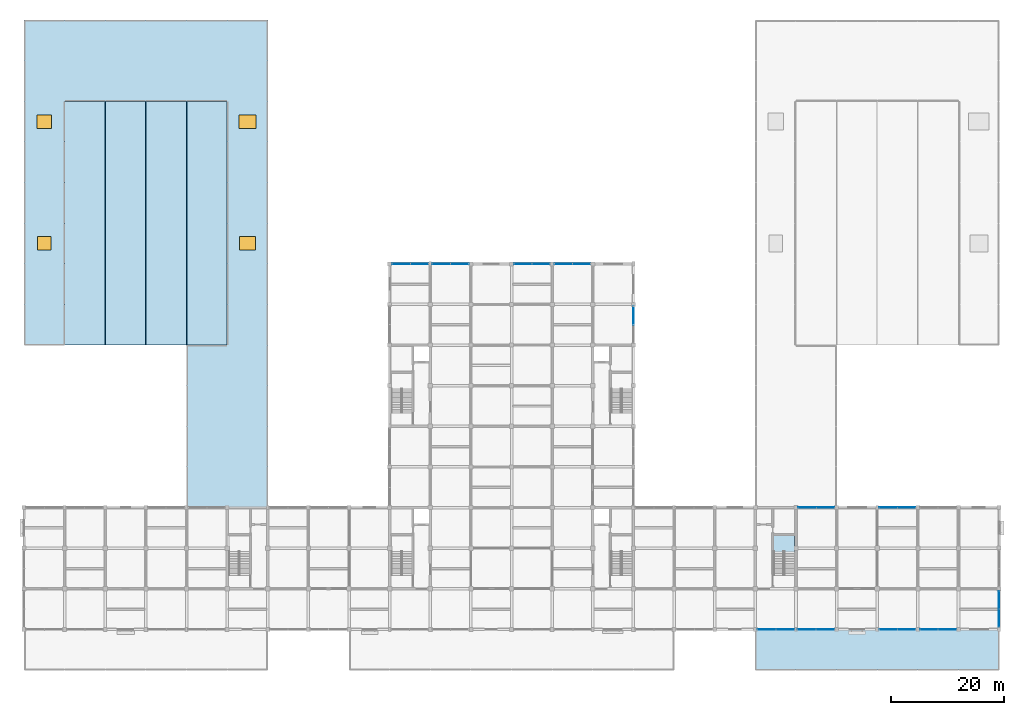
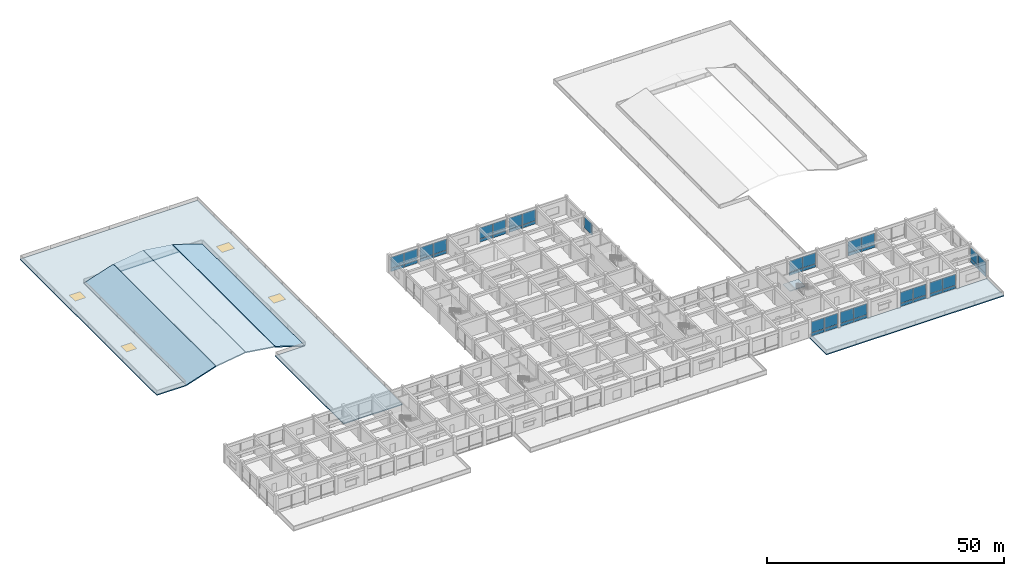
# One storey, part 16 of 30: 45 plates, 7 slabs, 4 windows, 4 openings, 13 elements without a shape of their own.
"""IFC4 building model written with IfcOpenShell, lengths in metres."""

from ifc_helpers import new_model, si_unit, direction, frame, origin, origin_2d, place, context, subcontext, project, spatial, polyline, rectangle, outline, extrude, material, layer, layer_set, type_object, element, fill, aggregate, save


model = new_model("IFC4")

# Units and contexts
model_context = context("Model", 3, precision=1e-05, world=origin(), true_north=direction((0.0, 1.0)))
body_context = subcontext(model_context, "Body", "Model", "MODEL_VIEW")
ifc_project = project(units=[si_unit("LENGTHUNIT", "METRE"), si_unit("AREAUNIT", "SQUARE_METRE"), si_unit("VOLUMEUNIT", "CUBIC_METRE"), si_unit("PLANEANGLEUNIT", "RADIAN"), si_unit("MASSUNIT", "GRAM", prefix="KILO")], contexts=[model_context])

# Site, building, storey
site_placement = place(None, origin())
site = spatial("IfcSite", under=ifc_project, at=site_placement, CompositionType="ELEMENT")
building_placement = place(site_placement, origin())
building = spatial("IfcBuilding", under=site, at=building_placement, Name="Cendaluz Park School", CompositionType="ELEMENT")
storey_placement = place(building_placement, frame((0.0, 0.0, 9.60009765625)))
storey = spatial("IfcBuildingStorey", under=building, at=storey_placement, Name="L02", CompositionType="ELEMENT", Elevation=9.60009765625)

# Curtain wall, plates
ifc_material_1 = material(Name="Anodised Aluminium 6063-T6", Category="aluminium")
ifc_layer_1 = layer(ifc_material_1, 0.179931640625)
ifc_layer_set_1 = layer_set([ifc_layer_1], Name="Anodised Aluminium 6063-T6")
curtain_wall_type_1 = type_object("IfcCurtainWallType", Name="CW-132x78", PredefinedType="NOTDEFINED", material=ifc_layer_set_1)
curtain_wall_1_placement = place(storey_placement, origin())
curtain_wall_1 = element("IfcCurtainWall", 1, at=curtain_wall_1_placement, inside=storey, type_object=curtain_wall_type_1, Name="CW-L02-108", PredefinedType="NOTDEFINED")
ifc_material_2 = material(Name="Tempered Low-E Double Glazing", Category="glass")
ifc_layer_2 = layer(ifc_material_2, 0.028076171875)
ifc_layer_set_2 = layer_set([ifc_layer_2], Name="Tempered Low-E Double Glazing")
plate_type_1 = type_object("IfcPlateType", Name="CWP-G01", PredefinedType="CURTAIN_PANEL", material=ifc_layer_set_2)
plate_1_placement = place(storey_placement, frame((66.820068359375, 72.0, 0.93994140625), z_axis=(0.0, 0.0, 1.0), x_axis=(1.0, 0.0, 0.0)))
plate_1 = element("IfcPlate", 2, at=plate_1_placement, type_object=plate_type_1, Name="CP-L02-1399", PredefinedType="CURTAIN_PANEL", context=body_context, shape_type="SweptSolid", body=[
    extrude(rectangle(XDim=3.179931640625, YDim=0.028076171875, at=origin_2d()), origin(), (0.0, 0.0, 1.0), 2.860107421875),
])
plate_2_placement = place(storey_placement, frame((70.080078125, 72.0, 0.93994140625), z_axis=(0.0, 0.0, 1.0), x_axis=(1.0, 0.0, 0.0)))
plate_2 = element("IfcPlate", 3, at=plate_2_placement, type_object=plate_type_1, Name="CP-L02-1404", PredefinedType="CURTAIN_PANEL", context=body_context, shape_type="SweptSolid", body=[
    extrude(rectangle(XDim=3.179931640625, YDim=0.028076171875, at=origin_2d()), origin(), (0.0, 0.0, 1.0), 2.860107421875),
])

ifc_layer_3 = layer(ifc_material_1, 0.179931640625)
ifc_layer_set_3 = layer_set([ifc_layer_3], Name="Anodised Aluminium 6063-T6")
curtain_wall_type_2 = type_object("IfcCurtainWallType", Name="CW-130x78", PredefinedType="NOTDEFINED", material=ifc_layer_set_3)
curtain_wall_2_placement = place(storey_placement, origin())
curtain_wall_2 = element("IfcCurtainWall", 4, at=curtain_wall_2_placement, inside=storey, type_object=curtain_wall_type_2, Name="CW-L02-114", PredefinedType="NOTDEFINED")
plate_3_placement = place(storey_placement, frame((95.594970703125, 72.0, 0.93994140625), z_axis=(0.0, 0.0, 1.0), x_axis=(1.0, 0.0, 0.0)))
plate_3 = element("IfcPlate", 5, at=plate_3_placement, type_object=plate_type_1, Name="CP-L02-1477", PredefinedType="CURTAIN_PANEL", context=body_context, shape_type="SweptSolid", body=[
    extrude(rectangle(XDim=3.1298828125, YDim=0.028076171875, at=origin_2d()), origin(), (0.0, 0.0, 1.0), 2.860107421875),
])
plate_4_placement = place(storey_placement, frame((98.804931640625, 72.0, 0.93994140625), z_axis=(0.0, 0.0, 1.0), x_axis=(1.0, 0.0, 0.0)))
plate_4 = element("IfcPlate", 6, at=plate_4_placement, type_object=plate_type_1, Name="CP-L02-1482", PredefinedType="CURTAIN_PANEL", context=body_context, shape_type="SweptSolid", body=[
    extrude(rectangle(XDim=3.1298828125, YDim=0.028076171875, at=origin_2d()), origin(), (0.0, 0.0, 1.0), 2.860107421875),
])

curtain_wall_3_placement = place(storey_placement, origin())
curtain_wall_3 = element("IfcCurtainWall", 7, at=curtain_wall_3_placement, inside=storey, type_object=curtain_wall_type_2, Name="CW-L02-125", PredefinedType="NOTDEFINED")
plate_5_placement = place(storey_placement, frame((153.195068359375, 7.199951171875, 0.93994140625), z_axis=(0.0, 0.0, 1.0), x_axis=(1.0, 0.0, 0.0)))
plate_5 = element("IfcPlate", 8, at=plate_5_placement, type_object=plate_type_1, Name="CP-L02-1620", PredefinedType="CURTAIN_PANEL", context=body_context, shape_type="SweptSolid", body=[
    extrude(rectangle(XDim=3.1298828125, YDim=0.028076171875, at=origin_2d()), origin(), (0.0, 0.0, 1.0), 2.860107421875),
])
plate_6_placement = place(storey_placement, frame((156.405029296875, 7.199951171875, 0.93994140625), z_axis=(0.0, 0.0, 1.0), x_axis=(1.0, 0.0, 0.0)))
plate_6 = element("IfcPlate", 9, at=plate_6_placement, type_object=plate_type_1, Name="CP-L02-1625", PredefinedType="CURTAIN_PANEL", context=body_context, shape_type="SweptSolid", body=[
    extrude(rectangle(XDim=3.1298828125, YDim=0.028076171875, at=origin_2d()), origin(), (0.0, 0.0, 1.0), 2.860107421875),
])

curtain_wall_4_placement = place(storey_placement, origin())
curtain_wall_4 = element("IfcCurtainWall", 10, at=curtain_wall_4_placement, inside=storey, type_object=curtain_wall_type_1, Name="CW-L02-126", PredefinedType="NOTDEFINED")
plate_7_placement = place(storey_placement, frame((153.1201171875, 28.800048828125, 0.93994140625), z_axis=(0.0, 0.0, 1.0), x_axis=(1.0, 0.0, 0.0)))
plate_7 = element("IfcPlate", 11, at=plate_7_placement, type_object=plate_type_1, Name="CP-L02-1633", PredefinedType="CURTAIN_PANEL", context=body_context, shape_type="SweptSolid", body=[
    extrude(rectangle(XDim=3.179931640625, YDim=0.028076171875, at=origin_2d()), origin(), (0.0, 0.0, 1.0), 2.860107421875),
])
plate_8_placement = place(storey_placement, frame((156.3798828125, 28.800048828125, 0.93994140625), z_axis=(0.0, 0.0, 1.0), x_axis=(1.0, 0.0, 0.0)))
plate_8 = element("IfcPlate", 12, at=plate_8_placement, type_object=plate_type_1, Name="CP-L02-1638", PredefinedType="CURTAIN_PANEL", context=body_context, shape_type="SweptSolid", body=[
    extrude(rectangle(XDim=3.179931640625, YDim=0.028076171875, at=origin_2d()), origin(), (0.0, 0.0, 1.0), 2.860107421875),
])

curtain_wall_5_placement = place(storey_placement, origin())
curtain_wall_5 = element("IfcCurtainWall", 13, at=curtain_wall_5_placement, inside=storey, type_object=curtain_wall_type_1, Name="CW-L02-110", PredefinedType="NOTDEFINED")
ifc_layer_4 = layer(ifc_material_2, 0.0380859375)
ifc_layer_set_4 = layer_set([ifc_layer_4], Name="Tempered Low-E Double Glazing")
plate_type_2 = type_object("IfcPlateType", Name="CWP-G02", PredefinedType="CURTAIN_PANEL", material=ifc_layer_set_4)
plate_9_placement = place(storey_placement, frame((73.919921875, 72.0, 0.93994140625), z_axis=(0.0, 0.0, 1.0), x_axis=(1.0, 0.0, 0.0)))
plate_9 = element("IfcPlate", 14, at=plate_9_placement, type_object=plate_type_2, Name="CP-L02-1425", PredefinedType="CURTAIN_PANEL", context=body_context, shape_type="SweptSolid", body=[
    extrude(rectangle(XDim=3.179931640625, YDim=0.0380859375, at=origin_2d()), origin(), (0.0, 0.0, 1.0), 2.860107421875),
])
plate_10_placement = place(storey_placement, frame((77.179931640625, 72.0, 0.93994140625), z_axis=(0.0, 0.0, 1.0), x_axis=(1.0, 0.0, 0.0)))
plate_10 = element("IfcPlate", 15, at=plate_10_placement, type_object=plate_type_2, Name="CP-L02-1430", PredefinedType="CURTAIN_PANEL", context=body_context, shape_type="SweptSolid", body=[
    extrude(rectangle(XDim=3.179931640625, YDim=0.0380859375, at=origin_2d()), origin(), (0.0, 0.0, 1.0), 2.860107421875),
])

curtain_wall_6_placement = place(storey_placement, origin())
curtain_wall_6 = element("IfcCurtainWall", 16, at=curtain_wall_6_placement, inside=storey, type_object=curtain_wall_type_1, Name="CW-L02-122", PredefinedType="NOTDEFINED")
plate_11_placement = place(storey_placement, frame((131.6201171875, 7.199951171875, 0.93994140625), z_axis=(0.0, 0.0, 1.0), x_axis=(1.0, 0.0, 0.0)))
plate_11 = element("IfcPlate", 17, at=plate_11_placement, type_object=plate_type_2, Name="CP-L02-1581", PredefinedType="CURTAIN_PANEL", context=body_context, shape_type="SweptSolid", body=[
    extrude(rectangle(XDim=3.179931640625, YDim=0.0380859375, at=origin_2d()), origin(), (0.0, 0.0, 1.0), 2.860107421875),
])
plate_12_placement = place(storey_placement, frame((134.8798828125, 7.199951171875, 0.93994140625), z_axis=(0.0, 0.0, 1.0), x_axis=(1.0, 0.0, 0.0)))
plate_12 = element("IfcPlate", 18, at=plate_12_placement, type_object=plate_type_2, Name="CP-L02-1586", PredefinedType="CURTAIN_PANEL", context=body_context, shape_type="SweptSolid", body=[
    extrude(rectangle(XDim=3.179931640625, YDim=0.0380859375, at=origin_2d()), origin(), (0.0, 0.0, 1.0), 2.860107421875),
])

curtain_wall_7_placement = place(storey_placement, origin())
curtain_wall_7 = element("IfcCurtainWall", 19, at=curtain_wall_7_placement, inside=storey, type_object=curtain_wall_type_2, Name="CW-L02-127", PredefinedType="NOTDEFINED")
plate_13_placement = place(storey_placement, frame((160.39501953125, 7.199951171875, 0.93994140625), z_axis=(0.0, 0.0, 1.0), x_axis=(1.0, 0.0, 0.0)))
plate_13 = element("IfcPlate", 20, at=plate_13_placement, type_object=plate_type_2, Name="CP-L02-1646", PredefinedType="CURTAIN_PANEL", context=body_context, shape_type="SweptSolid", body=[
    extrude(rectangle(XDim=3.1298828125, YDim=0.0380859375, at=origin_2d()), origin(), (0.0, 0.0, 1.0), 2.860107421875),
])
plate_14_placement = place(storey_placement, frame((163.60498046875, 7.199951171875, 0.93994140625), z_axis=(0.0, 0.0, 1.0), x_axis=(1.0, 0.0, 0.0)))
plate_14 = element("IfcPlate", 21, at=plate_14_placement, type_object=plate_type_2, Name="CP-L02-1651", PredefinedType="CURTAIN_PANEL", context=body_context, shape_type="SweptSolid", body=[
    extrude(rectangle(XDim=3.1298828125, YDim=0.0380859375, at=origin_2d()), origin(), (0.0, 0.0, 1.0), 2.860107421875),
])

# Curtain wall, plate
curtain_wall_8_placement = place(storey_placement, origin())
curtain_wall_8 = element("IfcCurtainWall", 22, at=curtain_wall_8_placement, inside=storey, type_object=curtain_wall_type_2, Name="CW-L02-117", PredefinedType="NOTDEFINED")
ifc_layer_5 = layer(ifc_material_2, 0.048095703125)
ifc_layer_set_5 = layer_set([ifc_layer_5], Name="Tempered Low-E Double Glazing")
plate_type_3 = type_object("IfcPlateType", Name="CWP-G03", PredefinedType="CURTAIN_PANEL", material=ifc_layer_set_5)
plate_15_placement = place(storey_placement, frame((108.0, 62.804931640625, 0.93994140625), z_axis=(0.0, 0.0, 1.0), x_axis=(0.0, 1.0, 0.0)))
plate_15 = element("IfcPlate", 23, at=plate_15_placement, type_object=plate_type_3, Name="CP-L02-1521", PredefinedType="CURTAIN_PANEL", context=body_context, shape_type="SweptSolid", body=[
    extrude(rectangle(XDim=3.1298828125, YDim=0.048095703125, at=origin_2d()), origin(), (0.0, 0.0, 1.0), 2.860107421875),
])
aggregate(curtain_wall_8, [plate_15])

# Curtain wall, plates
curtain_wall_9_placement = place(storey_placement, origin())
curtain_wall_9 = element("IfcCurtainWall", 24, at=curtain_wall_9_placement, inside=storey, type_object=curtain_wall_type_1, Name="CW-L02-123", PredefinedType="NOTDEFINED")
plate_16_placement = place(storey_placement, frame((138.719970703125, 7.199951171875, 0.93994140625), z_axis=(0.0, 0.0, 1.0), x_axis=(1.0, 0.0, 0.0)))
plate_16 = element("IfcPlate", 25, at=plate_16_placement, type_object=plate_type_3, Name="CP-L02-1594", PredefinedType="CURTAIN_PANEL", context=body_context, shape_type="SweptSolid", body=[
    extrude(rectangle(XDim=3.179931640625, YDim=0.048095703125, at=origin_2d()), origin(), (0.0, 0.0, 1.0), 2.860107421875),
])
plate_17_placement = place(storey_placement, frame((141.97998046875, 7.199951171875, 0.93994140625), z_axis=(0.0, 0.0, 1.0), x_axis=(1.0, 0.0, 0.0)))
plate_17 = element("IfcPlate", 26, at=plate_17_placement, type_object=plate_type_3, Name="CP-L02-1599", PredefinedType="CURTAIN_PANEL", context=body_context, shape_type="SweptSolid", body=[
    extrude(rectangle(XDim=3.179931640625, YDim=0.048095703125, at=origin_2d()), origin(), (0.0, 0.0, 1.0), 2.860107421875),
])

curtain_wall_10_placement = place(storey_placement, origin())
curtain_wall_10 = element("IfcCurtainWall", 27, at=curtain_wall_10_placement, inside=storey, type_object=curtain_wall_type_2, Name="CW-L02-124", PredefinedType="NOTDEFINED")
plate_18_placement = place(storey_placement, frame((138.794921875, 28.800048828125, 0.93994140625), z_axis=(0.0, 0.0, 1.0), x_axis=(1.0, 0.0, 0.0)))
plate_18 = element("IfcPlate", 28, at=plate_18_placement, type_object=plate_type_3, Name="CP-L02-1607", PredefinedType="CURTAIN_PANEL", context=body_context, shape_type="SweptSolid", body=[
    extrude(rectangle(XDim=3.1298828125, YDim=0.048095703125, at=origin_2d()), origin(), (0.0, 0.0, 1.0), 2.860107421875),
])
plate_19_placement = place(storey_placement, frame((142.0048828125, 28.800048828125, 0.93994140625), z_axis=(0.0, 0.0, 1.0), x_axis=(1.0, 0.0, 0.0)))
plate_19 = element("IfcPlate", 29, at=plate_19_placement, type_object=plate_type_3, Name="CP-L02-1612", PredefinedType="CURTAIN_PANEL", context=body_context, shape_type="SweptSolid", body=[
    extrude(rectangle(XDim=3.1298828125, YDim=0.048095703125, at=origin_2d()), origin(), (0.0, 0.0, 1.0), 2.860107421875),
])

curtain_wall_11_placement = place(storey_placement, origin())
curtain_wall_11 = element("IfcCurtainWall", 30, at=curtain_wall_11_placement, inside=storey, type_object=curtain_wall_type_2, Name="CW-L02-112", PredefinedType="NOTDEFINED")
ifc_layer_6 = layer(ifc_material_2, 0.05810546875)
ifc_layer_set_6 = layer_set([ifc_layer_6], Name="Tempered Low-E Double Glazing")
plate_type_4 = type_object("IfcPlateType", Name="CWP-G04", PredefinedType="CURTAIN_PANEL", material=ifc_layer_set_6)
plate_20_placement = place(storey_placement, frame((88.39501953125, 72.0, 0.93994140625), z_axis=(0.0, 0.0, 1.0), x_axis=(1.0, 0.0, 0.0)))
plate_20 = element("IfcPlate", 31, at=plate_20_placement, type_object=plate_type_4, Name="CP-L02-1451", PredefinedType="CURTAIN_PANEL", context=body_context, shape_type="SweptSolid", body=[
    extrude(rectangle(XDim=3.1298828125, YDim=0.05810546875, at=origin_2d()), origin(), (0.0, 0.0, 1.0), 2.860107421875),
])
plate_21_placement = place(storey_placement, frame((91.60498046875, 72.0, 0.93994140625), z_axis=(0.0, 0.0, 1.0), x_axis=(1.0, 0.0, 0.0)))
plate_21 = element("IfcPlate", 32, at=plate_21_placement, type_object=plate_type_4, Name="CP-L02-1456", PredefinedType="CURTAIN_PANEL", context=body_context, shape_type="SweptSolid", body=[
    extrude(rectangle(XDim=3.1298828125, YDim=0.05810546875, at=origin_2d()), origin(), (0.0, 0.0, 1.0), 2.860107421875),
])

curtain_wall_12_placement = place(storey_placement, origin())
curtain_wall_12 = element("IfcCurtainWall", 33, at=curtain_wall_12_placement, inside=storey, type_object=curtain_wall_type_2, Name="CW-L02-129", PredefinedType="NOTDEFINED")
plate_22_placement = place(storey_placement, frame((172.800048828125, 9.2138671875, 0.93994140625), z_axis=(0.0, 0.0, 1.0), x_axis=(0.0, 1.0, 0.0)))
plate_22 = element("IfcPlate", 34, at=plate_22_placement, type_object=plate_type_4, Name="CP-L02-1672", PredefinedType="CURTAIN_PANEL", context=body_context, shape_type="SweptSolid", body=[
    extrude(rectangle(XDim=3.117431640625, YDim=0.05810546875, at=origin_2d()), origin(), (0.0, 0.0, 1.0), 2.860107421875),
])
plate_23_placement = place(storey_placement, frame((172.800048828125, 12.4111328125, 0.93994140625), z_axis=(0.0, 0.0, 1.0), x_axis=(0.0, 1.0, 0.0)))
plate_23 = element("IfcPlate", 35, at=plate_23_placement, type_object=plate_type_4, Name="CP-L02-1677", PredefinedType="CURTAIN_PANEL", context=body_context, shape_type="SweptSolid", body=[
    extrude(rectangle(XDim=3.117431640625, YDim=0.05810546875, at=origin_2d()), origin(), (0.0, 0.0, 1.0), 2.860107421875),
])

# Plate
ifc_layer_7 = layer(ifc_material_1, 0.080078125)
ifc_layer_set_7 = layer_set([ifc_layer_7], Name="Anodised Aluminium 6063-T6")
plate_type_5 = type_object("IfcPlateType", Name="CWP-S01", PredefinedType="CURTAIN_PANEL", material=ifc_layer_set_7)
plate_24_placement = place(storey_placement, frame((131.6201171875, 7.199951171875, 0.080078125), z_axis=(0.0, 0.0, 1.0), x_axis=(1.0, 0.0, 0.0)))
plate_24 = element("IfcPlate", 36, at=plate_24_placement, type_object=plate_type_5, Name="CP-L02-1580", PredefinedType="CURTAIN_PANEL", context=body_context, shape_type="SweptSolid", body=[
    extrude(rectangle(XDim=3.179931640625, YDim=0.080078125, at=origin_2d()), origin(), (0.0, 0.0, 1.0), 0.780029296875),
])

plate_25_placement = place(storey_placement, frame((134.8798828125, 7.199951171875, 0.080078125), z_axis=(0.0, 0.0, 1.0), x_axis=(1.0, 0.0, 0.0)))
plate_25 = element("IfcPlate", 37, at=plate_25_placement, type_object=plate_type_5, Name="CP-L02-1585", PredefinedType="CURTAIN_PANEL", context=body_context, shape_type="SweptSolid", body=[
    extrude(rectangle(XDim=3.179931640625, YDim=0.080078125, at=origin_2d()), origin(), (0.0, 0.0, 1.0), 0.780029296875),
])

aggregate(curtain_wall_6, [plate_24, plate_11, plate_25, plate_12])

plate_26_placement = place(storey_placement, frame((138.719970703125, 7.199951171875, 0.080078125), z_axis=(0.0, 0.0, 1.0), x_axis=(1.0, 0.0, 0.0)))
plate_26 = element("IfcPlate", 38, at=plate_26_placement, type_object=plate_type_5, Name="CP-L02-1593", PredefinedType="CURTAIN_PANEL", context=body_context, shape_type="SweptSolid", body=[
    extrude(rectangle(XDim=3.179931640625, YDim=0.080078125, at=origin_2d()), origin(), (0.0, 0.0, 1.0), 0.780029296875),
])

plate_27_placement = place(storey_placement, frame((141.97998046875, 7.199951171875, 0.080078125), z_axis=(0.0, 0.0, 1.0), x_axis=(1.0, 0.0, 0.0)))
plate_27 = element("IfcPlate", 39, at=plate_27_placement, type_object=plate_type_5, Name="CP-L02-1598", PredefinedType="CURTAIN_PANEL", context=body_context, shape_type="SweptSolid", body=[
    extrude(rectangle(XDim=3.179931640625, YDim=0.080078125, at=origin_2d()), origin(), (0.0, 0.0, 1.0), 0.780029296875),
])

aggregate(curtain_wall_9, [plate_26, plate_16, plate_27, plate_17])

plate_28_placement = place(storey_placement, frame((153.195068359375, 7.199951171875, 0.080078125), z_axis=(0.0, 0.0, 1.0), x_axis=(1.0, 0.0, 0.0)))
plate_28 = element("IfcPlate", 40, at=plate_28_placement, type_object=plate_type_5, Name="CP-L02-1619", PredefinedType="CURTAIN_PANEL", context=body_context, shape_type="SweptSolid", body=[
    extrude(rectangle(XDim=3.1298828125, YDim=0.080078125, at=origin_2d()), origin(), (0.0, 0.0, 1.0), 0.780029296875),
])

plate_29_placement = place(storey_placement, frame((156.405029296875, 7.199951171875, 0.080078125), z_axis=(0.0, 0.0, 1.0), x_axis=(1.0, 0.0, 0.0)))
plate_29 = element("IfcPlate", 41, at=plate_29_placement, type_object=plate_type_5, Name="CP-L02-1624", PredefinedType="CURTAIN_PANEL", context=body_context, shape_type="SweptSolid", body=[
    extrude(rectangle(XDim=3.1298828125, YDim=0.080078125, at=origin_2d()), origin(), (0.0, 0.0, 1.0), 0.780029296875),
])

aggregate(curtain_wall_3, [plate_28, plate_5, plate_29, plate_6])

plate_30_placement = place(storey_placement, frame((160.39501953125, 7.199951171875, 0.080078125), z_axis=(0.0, 0.0, 1.0), x_axis=(1.0, 0.0, 0.0)))
plate_30 = element("IfcPlate", 42, at=plate_30_placement, type_object=plate_type_5, Name="CP-L02-1645", PredefinedType="CURTAIN_PANEL", context=body_context, shape_type="SweptSolid", body=[
    extrude(rectangle(XDim=3.1298828125, YDim=0.080078125, at=origin_2d()), origin(), (0.0, 0.0, 1.0), 0.780029296875),
])

plate_31_placement = place(storey_placement, frame((163.60498046875, 7.199951171875, 0.080078125), z_axis=(0.0, 0.0, 1.0), x_axis=(1.0, 0.0, 0.0)))
plate_31 = element("IfcPlate", 43, at=plate_31_placement, type_object=plate_type_5, Name="CP-L02-1650", PredefinedType="CURTAIN_PANEL", context=body_context, shape_type="SweptSolid", body=[
    extrude(rectangle(XDim=3.1298828125, YDim=0.080078125, at=origin_2d()), origin(), (0.0, 0.0, 1.0), 0.780029296875),
])

aggregate(curtain_wall_7, [plate_30, plate_13, plate_31, plate_14])

plate_32_placement = place(storey_placement, frame((172.800048828125, 9.2138671875, 0.080078125), z_axis=(0.0, 0.0, 1.0), x_axis=(0.0, 1.0, 0.0)))
plate_32 = element("IfcPlate", 44, at=plate_32_placement, type_object=plate_type_5, Name="CP-L02-1671", PredefinedType="CURTAIN_PANEL", context=body_context, shape_type="SweptSolid", body=[
    extrude(rectangle(XDim=3.117431640625, YDim=0.080078125, at=origin_2d()), origin(), (0.0, 0.0, 1.0), 0.780029296875),
])

plate_33_placement = place(storey_placement, frame((172.800048828125, 12.4111328125, 0.080078125), z_axis=(0.0, 0.0, 1.0), x_axis=(0.0, 1.0, 0.0)))
plate_33 = element("IfcPlate", 45, at=plate_33_placement, type_object=plate_type_5, Name="CP-L02-1676", PredefinedType="CURTAIN_PANEL", context=body_context, shape_type="SweptSolid", body=[
    extrude(rectangle(XDim=3.117431640625, YDim=0.080078125, at=origin_2d()), origin(), (0.0, 0.0, 1.0), 0.780029296875),
])

aggregate(curtain_wall_12, [plate_32, plate_22, plate_33, plate_23])

ifc_layer_8 = layer(ifc_material_1, 0.094970703125)
ifc_layer_set_8 = layer_set([ifc_layer_8], Name="Anodised Aluminium 6063-T6")
plate_type_6 = type_object("IfcPlateType", Name="CWP-S02", PredefinedType="CURTAIN_PANEL", material=ifc_layer_set_8)
plate_34_placement = place(storey_placement, frame((66.820068359375, 72.0, 0.080078125), z_axis=(0.0, 0.0, 1.0), x_axis=(1.0, 0.0, 0.0)))
plate_34 = element("IfcPlate", 46, at=plate_34_placement, type_object=plate_type_6, Name="CP-L02-1398", PredefinedType="CURTAIN_PANEL", context=body_context, shape_type="SweptSolid", body=[
    extrude(rectangle(XDim=3.179931640625, YDim=0.094970703125, at=origin_2d()), origin(), (0.0, 0.0, 1.0), 0.780029296875),
])

plate_35_placement = place(storey_placement, frame((70.080078125, 72.0, 0.080078125), z_axis=(0.0, 0.0, 1.0), x_axis=(1.0, 0.0, 0.0)))
plate_35 = element("IfcPlate", 47, at=plate_35_placement, type_object=plate_type_6, Name="CP-L02-1403", PredefinedType="CURTAIN_PANEL", context=body_context, shape_type="SweptSolid", body=[
    extrude(rectangle(XDim=3.179931640625, YDim=0.094970703125, at=origin_2d()), origin(), (0.0, 0.0, 1.0), 0.780029296875),
])

aggregate(curtain_wall_1, [plate_34, plate_1, plate_35, plate_2])

plate_36_placement = place(storey_placement, frame((73.919921875, 72.0, 0.080078125), z_axis=(0.0, 0.0, 1.0), x_axis=(1.0, 0.0, 0.0)))
plate_36 = element("IfcPlate", 48, at=plate_36_placement, type_object=plate_type_6, Name="CP-L02-1424", PredefinedType="CURTAIN_PANEL", context=body_context, shape_type="SweptSolid", body=[
    extrude(rectangle(XDim=3.179931640625, YDim=0.094970703125, at=origin_2d()), origin(), (0.0, 0.0, 1.0), 0.780029296875),
])

plate_37_placement = place(storey_placement, frame((77.179931640625, 72.0, 0.080078125), z_axis=(0.0, 0.0, 1.0), x_axis=(1.0, 0.0, 0.0)))
plate_37 = element("IfcPlate", 49, at=plate_37_placement, type_object=plate_type_6, Name="CP-L02-1429", PredefinedType="CURTAIN_PANEL", context=body_context, shape_type="SweptSolid", body=[
    extrude(rectangle(XDim=3.179931640625, YDim=0.094970703125, at=origin_2d()), origin(), (0.0, 0.0, 1.0), 0.780029296875),
])

aggregate(curtain_wall_5, [plate_36, plate_9, plate_37, plate_10])

plate_38_placement = place(storey_placement, frame((88.39501953125, 72.0, 0.080078125), z_axis=(0.0, 0.0, 1.0), x_axis=(1.0, 0.0, 0.0)))
plate_38 = element("IfcPlate", 50, at=plate_38_placement, type_object=plate_type_6, Name="CP-L02-1450", PredefinedType="CURTAIN_PANEL", context=body_context, shape_type="SweptSolid", body=[
    extrude(rectangle(XDim=3.1298828125, YDim=0.094970703125, at=origin_2d()), origin(), (0.0, 0.0, 1.0), 0.780029296875),
])

plate_39_placement = place(storey_placement, frame((91.60498046875, 72.0, 0.080078125), z_axis=(0.0, 0.0, 1.0), x_axis=(1.0, 0.0, 0.0)))
plate_39 = element("IfcPlate", 51, at=plate_39_placement, type_object=plate_type_6, Name="CP-L02-1455", PredefinedType="CURTAIN_PANEL", context=body_context, shape_type="SweptSolid", body=[
    extrude(rectangle(XDim=3.1298828125, YDim=0.094970703125, at=origin_2d()), origin(), (0.0, 0.0, 1.0), 0.780029296875),
])

aggregate(curtain_wall_11, [plate_38, plate_20, plate_39, plate_21])

plate_40_placement = place(storey_placement, frame((95.594970703125, 72.0, 0.080078125), z_axis=(0.0, 0.0, 1.0), x_axis=(1.0, 0.0, 0.0)))
plate_40 = element("IfcPlate", 52, at=plate_40_placement, type_object=plate_type_6, Name="CP-L02-1476", PredefinedType="CURTAIN_PANEL", context=body_context, shape_type="SweptSolid", body=[
    extrude(rectangle(XDim=3.1298828125, YDim=0.094970703125, at=origin_2d()), origin(), (0.0, 0.0, 1.0), 0.780029296875),
])

plate_41_placement = place(storey_placement, frame((98.804931640625, 72.0, 0.080078125), z_axis=(0.0, 0.0, 1.0), x_axis=(1.0, 0.0, 0.0)))
plate_41 = element("IfcPlate", 53, at=plate_41_placement, type_object=plate_type_6, Name="CP-L02-1481", PredefinedType="CURTAIN_PANEL", context=body_context, shape_type="SweptSolid", body=[
    extrude(rectangle(XDim=3.1298828125, YDim=0.094970703125, at=origin_2d()), origin(), (0.0, 0.0, 1.0), 0.780029296875),
])

aggregate(curtain_wall_2, [plate_40, plate_3, plate_41, plate_4])

ifc_layer_9 = layer(ifc_material_1, 0.125)
ifc_layer_set_9 = layer_set([ifc_layer_9], Name="Anodised Aluminium 6063-T6")
plate_type_7 = type_object("IfcPlateType", Name="CWP-S04", PredefinedType="CURTAIN_PANEL", material=ifc_layer_set_9)
plate_42_placement = place(storey_placement, frame((138.794921875, 28.800048828125, 0.080078125), z_axis=(0.0, 0.0, 1.0), x_axis=(1.0, 0.0, 0.0)))
plate_42 = element("IfcPlate", 54, at=plate_42_placement, type_object=plate_type_7, Name="CP-L02-1606", PredefinedType="CURTAIN_PANEL", context=body_context, shape_type="SweptSolid", body=[
    extrude(rectangle(XDim=3.1298828125, YDim=0.125, at=origin_2d()), origin(), (0.0, 0.0, 1.0), 0.780029296875),
])

plate_43_placement = place(storey_placement, frame((142.0048828125, 28.800048828125, 0.080078125), z_axis=(0.0, 0.0, 1.0), x_axis=(1.0, 0.0, 0.0)))
plate_43 = element("IfcPlate", 55, at=plate_43_placement, type_object=plate_type_7, Name="CP-L02-1611", PredefinedType="CURTAIN_PANEL", context=body_context, shape_type="SweptSolid", body=[
    extrude(rectangle(XDim=3.1298828125, YDim=0.125, at=origin_2d()), origin(), (0.0, 0.0, 1.0), 0.780029296875),
])

aggregate(curtain_wall_10, [plate_42, plate_18, plate_43, plate_19])

plate_44_placement = place(storey_placement, frame((153.1201171875, 28.800048828125, 0.080078125), z_axis=(0.0, 0.0, 1.0), x_axis=(1.0, 0.0, 0.0)))
plate_44 = element("IfcPlate", 56, at=plate_44_placement, type_object=plate_type_7, Name="CP-L02-1632", PredefinedType="CURTAIN_PANEL", context=body_context, shape_type="SweptSolid", body=[
    extrude(rectangle(XDim=3.179931640625, YDim=0.125, at=origin_2d()), origin(), (0.0, 0.0, 1.0), 0.780029296875),
])

plate_45_placement = place(storey_placement, frame((156.3798828125, 28.800048828125, 0.080078125), z_axis=(0.0, 0.0, 1.0), x_axis=(1.0, 0.0, 0.0)))
plate_45 = element("IfcPlate", 57, at=plate_45_placement, type_object=plate_type_7, Name="CP-L02-1637", PredefinedType="CURTAIN_PANEL", context=body_context, shape_type="SweptSolid", body=[
    extrude(rectangle(XDim=3.179931640625, YDim=0.125, at=origin_2d()), origin(), (0.0, 0.0, 1.0), 0.780029296875),
])

aggregate(curtain_wall_4, [plate_44, plate_7, plate_45, plate_8])

# Stair, slab
ifc_material_3 = material(Name="Concrete C40/50", Category="concrete")
stair_type = type_object("IfcStairType", Name="ST-480-180", PredefinedType="HALF_TURN_STAIR", material=ifc_material_3)
stair_placement = place(storey_placement, origin())
stair = element("IfcStair", 58, at=stair_placement, inside=storey, type_object=stair_type, Name="ST-L02-C6", PredefinedType="HALF_TURN_STAIR")
ifc_layer_10 = layer(ifc_material_3, 0.199951171875)
ifc_layer_set_10 = layer_set([ifc_layer_10], Name="Concrete C40/50")
slab_type_1 = type_object("IfcSlabType", Name="SL-LD-200", PredefinedType="LANDING", material=ifc_layer_set_10)
slab_1_placement = place(storey_placement, frame((0.0, 0.0, 2.199951171875)))
slab_1 = element("IfcSlab", 59, at=slab_1_placement, type_object=slab_type_1, Name="SL-LD-L02-C6", PredefinedType="LANDING", context=body_context, shape_type="SweptSolid", body=[
    extrude(outline(polyline([(132.830078125, 20.9599609375), (136.510009765625, 20.9599609375), (136.510009765625, 23.860107421875), (132.830078125, 23.860107421875), (132.830078125, 20.9599609375)])), origin(), (0.0, 0.0, 1.0), 0.199951171875),
])
aggregate(stair, [slab_1])

# Slab, openings, windows
ifc_layer_11 = layer(ifc_material_3, 0.260009765625)
ifc_layer_set_11 = layer_set([ifc_layer_11], Name="Concrete C40/50")
slab_type_2 = type_object("IfcSlabType", Name="SL-RF-260-RC", PredefinedType="ROOF", material=ifc_layer_set_11)
slab_2_placement = place(storey_placement, frame((0.0, 0.0, -0.260009765625)))
slab_2 = element("IfcSlab", 60, at=slab_2_placement, inside=storey, type_object=slab_type_2, Name="SL-RF-L01-03", PredefinedType="ROOF", context=body_context, shape_type="SweptSolid", body=[
    extrude(outline(polyline([(28.800048828125, 57.60009765625), (36.0, 57.60009765625), (36.0, 100.800048828125), (7.199951171875, 100.800048828125), (7.199951171875, 57.60009765625), (0.0, 57.60009765625), (0.0, 115.199951171875), (43.199951171875, 115.199951171875), (43.199951171875, 28.800048828125), (28.800048828125, 28.800048828125), (28.800048828125, 57.60009765625)])), origin(), (0.0, 0.0, 1.0), 0.260009765625),
])
opening_1_placement = place(slab_2_placement, frame((3.60009765625, 75.60009765625, 0.0)))
opening_1 = element("IfcOpeningElement", 61, at=opening_1_placement, cuts=slab_2, Name="Opening SK-01", PredefinedType="OPENING", context=body_context, shape_type="SweptSolid", body=[
    extrude(rectangle(XDim=2.39990234375, YDim=2.39990234375, at=origin_2d()), frame((0.0, 0.0, -0.011962890625)), (0.0, 0.0, 1.0), 0.283935546875),
])
opening_2_placement = place(slab_2_placement, frame((3.60009765625, 97.199951171875, 0.0)))
opening_2 = element("IfcOpeningElement", 62, at=opening_2_placement, cuts=slab_2, Name="Opening SK-02", PredefinedType="OPENING", context=body_context, shape_type="SweptSolid", body=[
    extrude(rectangle(XDim=2.60009765625, YDim=2.39990234375, at=origin_2d()), frame((0.0, 0.0, -0.011962890625)), (0.0, 0.0, 1.0), 0.283935546875),
])
opening_3_placement = place(slab_2_placement, frame((39.60009765625, 75.60009765625, 0.0)))
opening_3 = element("IfcOpeningElement", 63, at=opening_3_placement, cuts=slab_2, Name="Opening SK-03", PredefinedType="OPENING", context=body_context, shape_type="SweptSolid", body=[
    extrude(rectangle(XDim=2.800048828125, YDim=2.39990234375, at=origin_2d()), frame((0.0, 0.0, -0.011962890625)), (0.0, 0.0, 1.0), 0.283935546875),
])
opening_4_placement = place(slab_2_placement, frame((39.60009765625, 97.199951171875, 0.0)))
opening_4 = element("IfcOpeningElement", 64, at=opening_4_placement, cuts=slab_2, Name="Opening SK-04", PredefinedType="OPENING", context=body_context, shape_type="SweptSolid", body=[
    extrude(rectangle(XDim=3.0, YDim=2.39990234375, at=origin_2d()), frame((0.0, 0.0, -0.011962890625)), (0.0, 0.0, 1.0), 0.283935546875),
])
window_type_1 = type_object("IfcWindowType", Name="SK-01", PartitioningType="SINGLE_PANEL", PredefinedType="SKYLIGHT", material=ifc_material_2)
window_1_placement = place(opening_1_placement, frame((0.0, 0.0, 0.2099609375)))
window_1 = element("IfcWindow", 65, at=window_1_placement, inside=storey, type_object=window_type_1, Name="WN-L02-020", OverallHeight=2.39990234375, OverallWidth=2.39990234375, PartitioningType="SINGLE_PANEL", PredefinedType="SKYLIGHT", context=body_context, shape_type="SweptSolid", body=[
    extrude(rectangle(XDim=2.39990234375, YDim=2.39990234375, at=origin_2d()), origin(), (0.0, 0.0, 1.0), 0.050048828125),
])
fill(opening_1, window_1)
window_type_2 = type_object("IfcWindowType", Name="SK-02", PartitioningType="SINGLE_PANEL", PredefinedType="SKYLIGHT", material=ifc_material_2)
window_2_placement = place(opening_2_placement, frame((0.0, 0.0, 0.2099609375)))
window_2 = element("IfcWindow", 66, at=window_2_placement, inside=storey, type_object=window_type_2, Name="WN-L02-021", OverallHeight=2.39990234375, OverallWidth=2.60009765625, PartitioningType="SINGLE_PANEL", PredefinedType="SKYLIGHT", context=body_context, shape_type="SweptSolid", body=[
    extrude(rectangle(XDim=2.60009765625, YDim=2.39990234375, at=origin_2d()), origin(), (0.0, 0.0, 1.0), 0.050048828125),
])
fill(opening_2, window_2)
window_type_3 = type_object("IfcWindowType", Name="SK-03", PartitioningType="SINGLE_PANEL", PredefinedType="SKYLIGHT", material=ifc_material_2)
window_3_placement = place(opening_3_placement, frame((0.0, 0.0, 0.2099609375)))
window_3 = element("IfcWindow", 67, at=window_3_placement, inside=storey, type_object=window_type_3, Name="WN-L02-022", OverallHeight=2.39990234375, OverallWidth=2.800048828125, PartitioningType="SINGLE_PANEL", PredefinedType="SKYLIGHT", context=body_context, shape_type="SweptSolid", body=[
    extrude(rectangle(XDim=2.800048828125, YDim=2.39990234375, at=origin_2d()), origin(), (0.0, 0.0, 1.0), 0.050048828125),
])
fill(opening_3, window_3)
window_type_4 = type_object("IfcWindowType", Name="SK-04", PartitioningType="SINGLE_PANEL", PredefinedType="SKYLIGHT", material=ifc_material_2)
window_4_placement = place(opening_4_placement, frame((0.0, 0.0, 0.2099609375)))
window_4 = element("IfcWindow", 68, at=window_4_placement, inside=storey, type_object=window_type_4, Name="WN-L02-023", OverallHeight=2.39990234375, OverallWidth=3.0, PartitioningType="SINGLE_PANEL", PredefinedType="SKYLIGHT", context=body_context, shape_type="SweptSolid", body=[
    extrude(rectangle(XDim=3.0, YDim=2.39990234375, at=origin_2d()), origin(), (0.0, 0.0, 1.0), 0.050048828125),
])
fill(opening_4, window_4)

# Slabs
slab_3_placement = place(storey_placement, frame((0.0, 0.0, -0.260009765625)))
element("IfcSlab", 69, at=slab_3_placement, inside=storey, type_object=slab_type_2, Name="SL-RF-L01-04", PredefinedType="ROOF", context=body_context, shape_type="SweptSolid", body=[
    extrude(outline(polyline([(129.60009765625, 7.199951171875), (172.800048828125, 7.199951171875), (172.800048828125, 0.0), (129.60009765625, 0.0), (129.60009765625, 7.199951171875)])), origin(), (0.0, 0.0, 1.0), 0.260009765625),
])
ifc_layer_12 = layer(ifc_material_3, 0.260009765625)
ifc_layer_set_12 = layer_set([ifc_layer_12], Name="Concrete C40/50")
slab_type_3 = type_object("IfcSlabType", Name="SL-RF-260-VLT", PredefinedType="ROOF", material=ifc_layer_set_12)
slab_4_placement = place(storey_placement, frame((7.199951171875, 57.60009765625, 0.0), z_axis=(-0.31023420763, 0.0, 0.950660158214), x_axis=(0.950660158214, 0.0, 0.31023420763)))
element("IfcSlab", 70, at=slab_4_placement, inside=storey, type_object=slab_type_3, Name="Barrel Vault Roof Slab SL-RF-SH-F1", PredefinedType="ROOF", context=body_context, shape_type="SweptSolid", body=[
    extrude(outline(polyline([(0.0, 0.0), (7.523297939412354, 0.0), (7.523297939412354, 43.19995117187499), (0.0, 43.19995117187499), (0.0, 0.0)])), origin(), (0.0, 0.0, -1.0), 0.260009765625),
])
for number, where, z_axis, x_axis, name in (
    (71, (14.447998046875, 57.60009765625, 2.35693359375), (-0.144291631102, 0.0, 0.989535206647), (0.989535206647, 0.0, 0.144291631102), "Barrel Vault Roof Slab SL-RF-SH-F2"),
    (72, (21.64794921875, 57.60009765625, 3.392822265625), (0.144291631102, 0.0, 0.989535206647), (0.989535206647, 0.0, -0.144291631102), "Barrel Vault Roof Slab SL-RF-SH-F3"),
):
    element("IfcSlab", number, at=place(storey_placement, frame(where, z_axis=z_axis, x_axis=x_axis)), inside=storey, type_object=slab_type_3, Name=name, PredefinedType="ROOF", context=body_context, shape_type="SweptSolid", body=[
        extrude(outline(polyline([(0.0, 0.0), (7.17913203949713, 0.0), (7.17913203949713, 43.199951171875), (0.0, 43.199951171875), (0.0, 0.0)])), origin(), (0.0, 0.0, -1.0), 0.260009765625),
    ])
slab_5_placement = place(storey_placement, frame((28.847900390625, 57.60009765625, 2.333984375), z_axis=(0.31023420763, 0.0, 0.950660158214), x_axis=(0.950660158214, 0.0, -0.31023420763)))
element("IfcSlab", 73, at=slab_5_placement, inside=storey, type_object=slab_type_3, Name="Barrel Vault Roof Slab SL-RF-SH-F4", PredefinedType="ROOF", context=body_context, shape_type="SweptSolid", body=[
    extrude(outline(polyline([(0.0, 0.0), (7.523297939412354, 0.0), (7.523297939412354, 43.19995117187499), (0.0, 43.19995117187499), (0.0, 0.0)])), origin(), (0.0, 0.0, -1.0), 0.260009765625),
])

save(model, "model.ifc")
